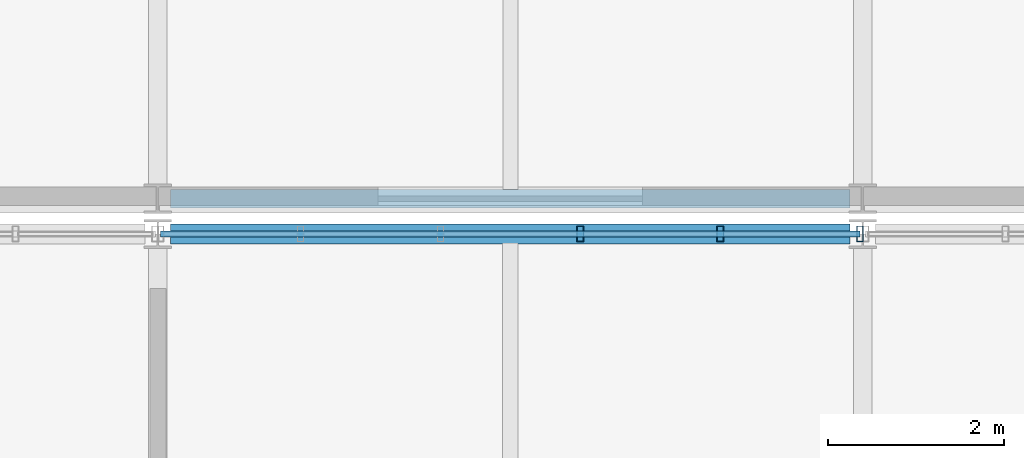
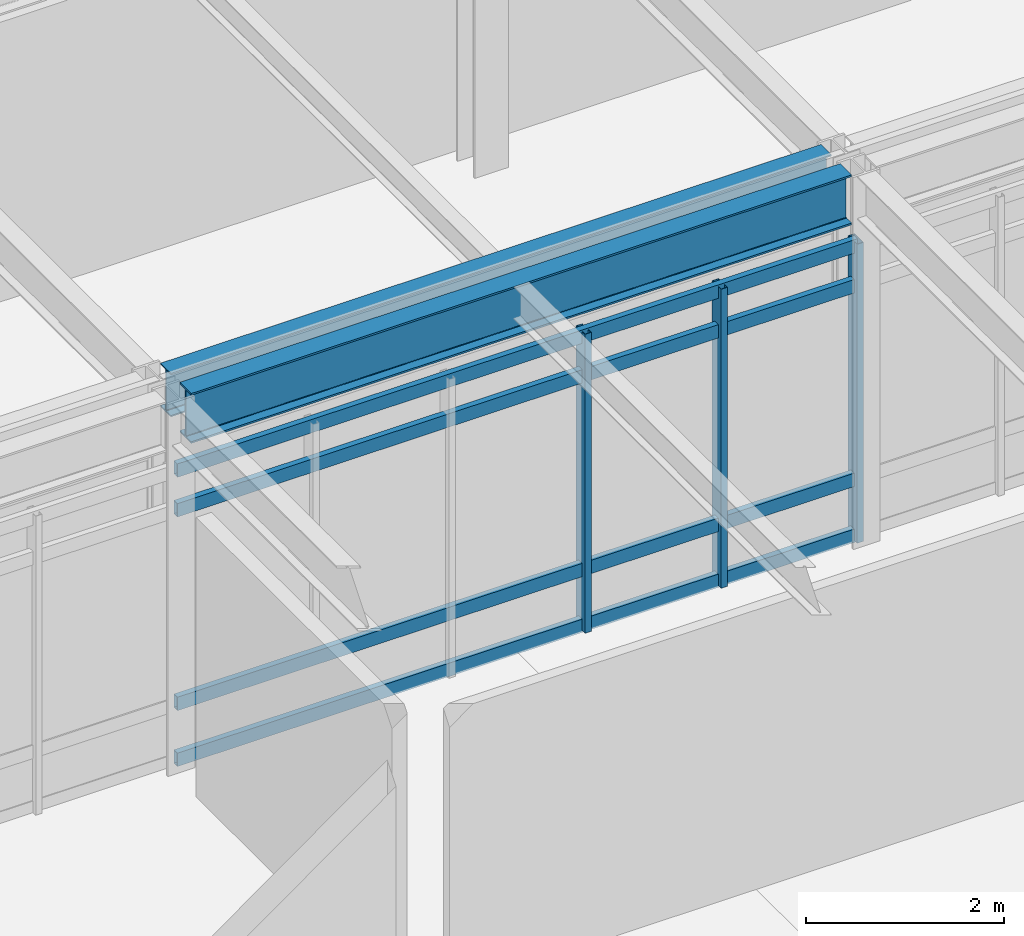
# One storey, part 51 of 104: 7 members, 2 beams, 1 element without a shape of its own.
"""IFC4 building model written with IfcOpenShell, lengths in metres."""

import ifcopenshell
import ifcopenshell.guid

model = None  # the IFC model being written
_history = None  # IfcOwnerHistory: only IFC2X3 demands one
_inside = {}  # id of a spatial element -> (the spatial element, [elements in it])
_under = {}  # id of a project, library or spatial element -> (it, [spatial elements below it])
_declared = {}  # id of a project -> (the project, [libraries it declares])
_typed = {}  # id of a type object -> (the type object, [elements of that type])
_made_of = {}  # id of a material, layer set ... -> (it, [elements and type objects made of it])


def new_model(schema):
    """Start an empty IFC model of exactly this schema.

    Asked for "IFC4X3", IfcOpenShell would pick the latest addendum, in which some entities
    have other attributes; the version numbers below select the first issue.
    IFC2X3 requires an IfcOwnerHistory on every rooted entity: one is made here for all.
    """
    global model, _history
    if schema == "IFC4X3":
        model = ifcopenshell.file(schema_version=(4, 3, 0, 0))
    else:
        model = ifcopenshell.file(schema=schema)
    _inside.clear()
    _under.clear()
    _declared.clear()
    _typed.clear()
    _made_of.clear()
    _history = None
    if model.schema == "IFC2X3":
        org = make("IfcOrganization", Name="unknown")
        user = make(
            "IfcPersonAndOrganization",
            ThePerson=make("IfcPerson", FamilyName="unknown"),
            TheOrganization=org,
        )
        app = make(
            "IfcApplication",
            ApplicationDeveloper=org,
            Version="unknown",
            ApplicationFullName="unknown",
            ApplicationIdentifier="unknown",
        )
        _history = make(
            "IfcOwnerHistory",
            OwningUser=user,
            OwningApplication=app,
            ChangeAction="ADDED",
            CreationDate=0,
        )
    return model


def make(cls, **values):
    """One entity of the class cls with the attributes given. An attribute that is None is left unset."""
    return model.create_entity(
        cls, **{name: value for name, value in values.items() if value is not None}
    )


def rooted(cls, **values):
    """An entity with a GlobalId (a new one), such as an element, a storey or a relation."""
    return make(cls, GlobalId=ifcopenshell.guid.new(), OwnerHistory=_history, **values)


def si_unit(unit_type, name, prefix=None):
    """IfcSIUnit, for example si_unit("LENGTHUNIT", "METRE", prefix="MILLI")."""
    return make("IfcSIUnit", UnitType=unit_type, Prefix=prefix, Name=name)


def assignment(units):
    """IfcUnitAssignment: the units of a project."""
    return None if units is None else make("IfcUnitAssignment", Units=units)


def point(xyz):
    """IfcCartesianPoint."""
    return None if xyz is None else make("IfcCartesianPoint", Coordinates=xyz)


def direction(xyz):
    """IfcDirection."""
    return None if xyz is None else make("IfcDirection", DirectionRatios=xyz)


def frame(location, z_axis=None, x_axis=None):
    """IfcAxis2Placement3D, a coordinate frame: its origin and axes. An axis left out is left unset."""
    return make(
        "IfcAxis2Placement3D",
        Location=point(location),
        Axis=direction(z_axis),
        RefDirection=direction(x_axis),
    )


def frame_2d(location, x_axis=None):
    """IfcAxis2Placement2D, a coordinate frame in the plane: its origin and x axis."""
    return make(
        "IfcAxis2Placement2D", Location=point(location), RefDirection=direction(x_axis)
    )


def origin():
    """The frame at (0, 0, 0) with its axes left unset."""
    return frame((0.0, 0.0, 0.0))


def origin_2d():
    """The frame at (0, 0) in the plane with its x axis left unset."""
    return frame_2d((0.0, 0.0))


def place(relative_to, where):
    """IfcLocalPlacement: puts the frame where relative to a parent placement (None: the world)."""
    return make(
        "IfcLocalPlacement", PlacementRelTo=relative_to, RelativePlacement=where
    )


def context(
    kind, dimensions, precision=None, world=None, true_north=None, identifier=None
):
    """IfcGeometricRepresentationContext, for example the 3D "Model" context."""
    return make(
        "IfcGeometricRepresentationContext",
        ContextIdentifier=identifier,
        ContextType=kind,
        CoordinateSpaceDimension=dimensions,
        Precision=precision,
        WorldCoordinateSystem=world,
        TrueNorth=true_north,
    )


def subcontext(parent, identifier, kind, view, scale=None):
    """IfcGeometricRepresentationSubContext, for example "Body" below "Model"."""
    return make(
        "IfcGeometricRepresentationSubContext",
        ContextIdentifier=identifier,
        ContextType=kind,
        ParentContext=parent,
        TargetScale=scale,
        TargetView=view,
    )


def project(units=None, contexts=None):
    """IfcProject with its units and contexts."""
    return rooted(
        "IfcProject",
        Name="project",
        RepresentationContexts=contexts,
        UnitsInContext=assignment(units),
    )


def spatial(cls, under=None, at=None, **own):
    """A site, building, storey or space (cls), placed at a placement, below another one or the project."""
    s = rooted(cls, ObjectPlacement=at, **own)
    if under is not None:
        _under.setdefault(under.id(), (under, []))[1].append(s)
    return s


def profile(cls, at=None, kind="AREA", **sizes):
    """A parametric profile (cls). Its sizes go by their IFC names, for example OverallWidth=200.0."""
    return make(cls, ProfileType=kind, Position=at, **sizes)


def hollow_rectangle(**sizes):
    """IfcRectangleHollowProfileDef."""
    return profile("IfcRectangleHollowProfileDef", **sizes)


def i_section(**sizes):
    """IfcIShapeProfileDef."""
    return profile("IfcIShapeProfileDef", **sizes)


def extrude(swept, where, along, depth):
    """IfcExtrudedAreaSolid: the profile swept, set in the frame where, extruded along a direction by depth."""
    return make(
        "IfcExtrudedAreaSolid",
        SweptArea=swept,
        Position=where,
        ExtrudedDirection=direction(along),
        Depth=depth,
    )


def shape(context_of_items, identifier, shape_type, items):
    """IfcShapeRepresentation: the items that make up one representation, for example the "Body"."""
    return make(
        "IfcShapeRepresentation",
        ContextOfItems=context_of_items,
        RepresentationIdentifier=identifier,
        RepresentationType=shape_type,
        Items=items,
    )


def material(Name=None, Category=None):
    """IfcMaterial."""
    return make("IfcMaterial", Name=Name, Category=Category)


def material_profile(
    of_material, cross_section, Name=None, Category=None, Priority=None
):
    """IfcMaterialProfile: a cross section and its material."""
    return make(
        "IfcMaterialProfile",
        Name=Name,
        Material=of_material,
        Profile=cross_section,
        Priority=Priority,
        Category=Category,
    )


def profile_set(profiles, Name=None, composite=None):
    """IfcMaterialProfileSet."""
    return make(
        "IfcMaterialProfileSet",
        Name=Name,
        MaterialProfiles=profiles,
        CompositeProfile=composite,
    )


def made_of(thing, what):
    """Note that an element or type object is made of a material, layer set ...; save() writes the relation."""
    if what is not None:
        _made_of.setdefault(what.id(), (what, []))[1].append(thing)
    return thing


def type_object(cls, material=None, **own):
    """A type object (cls), such as IfcWallType, which elements share."""
    return made_of(rooted(cls, **own), material)


def element(
    cls,
    number,
    at=None,
    inside=None,
    cuts=None,
    type_object=None,
    material=None,
    context=None,
    identifier="Body",
    shape_type=None,
    held_by="IfcProductDefinitionShape",
    body=None,
    shapes=None,
    **own,
):
    """One element of the class cls, such as IfcWall. Its Tag is "e" and its number.

    at: its placement. inside: the storey or other place that contains it. cuts: it is an
    opening in that element (IfcRelVoidsElement). A single representation is given by context,
    identifier, shape_type and body (its items); several are given by shapes. held_by: the class
    of the entity that holds the representations. save() writes the other relations.
    """
    e = rooted(cls, Tag="e%d" % number, ObjectPlacement=at, **own)
    if body is not None:
        shapes = [shape(context, identifier, shape_type, body)]
    if shapes is not None:
        e.Representation = make(held_by, Representations=shapes)
    if inside is not None:
        _inside.setdefault(inside.id(), (inside, []))[1].append(e)
    if cuts is not None:
        rooted(
            "IfcRelVoidsElement", RelatingBuildingElement=cuts, RelatedOpeningElement=e
        )
    if type_object is not None:
        _typed.setdefault(type_object.id(), (type_object, []))[1].append(e)
    return made_of(e, material)


def aggregate(whole, parts):
    """IfcRelAggregates: a whole, such as a stair, and the parts it consists of."""
    return rooted("IfcRelAggregates", RelatingObject=whole, RelatedObjects=parts)


def save(model, path):
    """Write the relations noted so far, then the file.

    IfcRelAggregates (storeys below a building ...), IfcRelContainedInSpatialStructure (elements
    in a storey), IfcRelDefinesByType, IfcRelAssociatesMaterial and IfcRelDeclares: one each for
    every whole, place, type object, material and project.
    """
    for whole, parts in _under.values():
        aggregate(whole, parts)
    for where, things in _inside.values():
        rooted(
            "IfcRelContainedInSpatialStructure",
            RelatedElements=things,
            RelatingStructure=where,
        )
    for kind, things in _typed.values():
        rooted("IfcRelDefinesByType", RelatedObjects=things, RelatingType=kind)
    for what, things in _made_of.values():
        rooted("IfcRelAssociatesMaterial", RelatedObjects=things, RelatingMaterial=what)
    for by, libraries in _declared.values():
        rooted("IfcRelDeclares", RelatingContext=by, RelatedDefinitions=libraries)
    model.write(path)


model = new_model("IFC4")

# Units and contexts
model_context = context("Model", 3, precision=1e-05, world=origin(), true_north=direction((0.0, 1.0)))
body_context = subcontext(model_context, "Body", "Model", "MODEL_VIEW")
ifc_project = project(units=[si_unit("LENGTHUNIT", "METRE"), si_unit("AREAUNIT", "SQUARE_METRE"), si_unit("VOLUMEUNIT", "CUBIC_METRE"), si_unit("PLANEANGLEUNIT", "RADIAN"), si_unit("MASSUNIT", "GRAM", prefix="KILO")], contexts=[model_context])

# Site, building, storey
site_placement = place(None, origin())
site = spatial("IfcSite", under=ifc_project, at=site_placement, CompositionType="ELEMENT")
building_placement = place(site_placement, origin())
building = spatial("IfcBuilding", under=site, at=building_placement, Name="Zulena Civic Courthouse", CompositionType="ELEMENT")
storey_placement = place(building_placement, frame((0.0, 0.0, 10.800048828125)))
storey = spatial("IfcBuildingStorey", under=building, at=storey_placement, Name="L02", CompositionType="ELEMENT", Elevation=10.800048828125)

# Curtain wall, members
ifc_material_1 = material(Name="Double-silver low-E laminated solar-control glass", Category="glass")
curtain_wall_type = type_object("IfcCurtainWallType", Name="CW_7940x3690", PredefinedType="USERDEFINED", material=ifc_material_1)
curtain_wall_placement = place(storey_placement, origin())
curtain_wall = element("IfcCurtainWall", 1, at=curtain_wall_placement, inside=storey, type_object=curtain_wall_type, Name="cw:V4:L02:1:3", ObjectType="UNITISED CURTAIN WALL", PredefinedType="USERDEFINED")
ifc_material_2 = material(Name="Bronze anodised thermally broken aluminium AA6063-T6", Category="aluminium")
ifc_material_profile_1 = material_profile(ifc_material_2, hollow_rectangle(XDim=0.074951171875, YDim=0.179931640625, WallThickness=0.0048828125, at=origin_2d()), Name="CWM180X75X5")
ifc_profile_set_1 = profile_set([ifc_material_profile_1], Name="Bronze anodised thermally broken aluminium AA6063-T6")
member_type_1 = type_object("IfcMemberType", Name="CWMullion_180x75", PredefinedType="MULLION", material=ifc_profile_set_1)
member_1_placement = place(storey_placement, frame((96.7939453125, 45.60009765625, 0.0), z_axis=(0.0, 0.0, 1.0), x_axis=(1.0, 0.0, 0.0)))
member_1 = element("IfcMember", 2, at=member_1_placement, type_object=member_type_1, Name="cw:V4:L02:1:3:mull:3", PredefinedType="MULLION", context=body_context, shape_type="SweptSolid", body=[
    extrude(hollow_rectangle(XDim=0.074951171875, YDim=0.179931640625, WallThickness=0.0048828125, at=origin_2d()), origin(), (0.0, 0.0, 1.0), 3.68994140625),
])
member_2_placement = place(storey_placement, frame((98.382080078125, 45.60009765625, 0.0), z_axis=(0.0, 0.0, 1.0), x_axis=(1.0, 0.0, 0.0)))
member_2 = element("IfcMember", 3, at=member_2_placement, type_object=member_type_1, Name="cw:V4:L02:1:3:mull:4", PredefinedType="MULLION", context=body_context, shape_type="SweptSolid", body=[
    extrude(hollow_rectangle(XDim=0.074951171875, YDim=0.179931640625, WallThickness=0.0048828125, at=origin_2d()), origin(), (0.0, 0.0, 1.0), 3.68994140625),
])
member_3_placement = place(storey_placement, frame((99.969970703125, 45.60009765625, 0.0), z_axis=(0.0, 0.0, 1.0), x_axis=(1.0, 0.0, 0.0)))
member_3 = element("IfcMember", 4, at=member_3_placement, type_object=member_type_1, Name="cw:V4:L02:1:3:mull:5", PredefinedType="MULLION", context=body_context, shape_type="SweptSolid", body=[
    extrude(hollow_rectangle(XDim=0.074951171875, YDim=0.179931640625, WallThickness=0.0048828125, at=origin_2d()), origin(), (0.0, 0.0, 1.0), 3.68994140625),
])
ifc_material_profile_2 = material_profile(ifc_material_2, hollow_rectangle(XDim=0.070068359375, YDim=0.1650390625, WallThickness=0.00390625, at=origin_2d()), Name="CWT165X70X4")
ifc_profile_set_2 = profile_set([ifc_material_profile_2], Name="Bronze anodised thermally broken aluminium AA6063-T6")
member_type_2 = type_object("IfcMemberType", Name="CWTransom_165x70", PredefinedType="USERDEFINED", material=ifc_profile_set_2)
member_4_placement = place(storey_placement, frame((92.030029296875, 45.60009765625, 0.06005859375), z_axis=(1.0, 0.0, 0.0), x_axis=(0.0, 1.0, 0.0)))
member_4 = element("IfcMember", 5, at=member_4_placement, type_object=member_type_2, Name="cw:V4:L02:1:3:tran:0", ObjectType="TRANSOM", PredefinedType="USERDEFINED", context=body_context, shape_type="SweptSolid", body=[
    extrude(hollow_rectangle(XDim=0.070068359375, YDim=0.1650390625, WallThickness=0.00390625, at=origin_2d()), origin(), (0.0, 0.0, 1.0), 7.93994140625),
])
member_5_placement = place(storey_placement, frame((92.030029296875, 45.60009765625, 0.75), z_axis=(1.0, 0.0, 0.0), x_axis=(0.0, 1.0, 0.0)))
member_5 = element("IfcMember", 6, at=member_5_placement, type_object=member_type_2, Name="cw:V4:L02:1:3:tran:1", ObjectType="TRANSOM", PredefinedType="USERDEFINED", context=body_context, shape_type="SweptSolid", body=[
    extrude(hollow_rectangle(XDim=0.070068359375, YDim=0.1650390625, WallThickness=0.00390625, at=origin_2d()), origin(), (0.0, 0.0, 1.0), 7.93994140625),
])
member_6_placement = place(storey_placement, frame((92.030029296875, 45.60009765625, 3.139892578125), z_axis=(1.0, 0.0, 0.0), x_axis=(0.0, 1.0, 0.0)))
member_6 = element("IfcMember", 7, at=member_6_placement, type_object=member_type_2, Name="cw:V4:L02:1:3:tran:2", ObjectType="TRANSOM", PredefinedType="USERDEFINED", context=body_context, shape_type="SweptSolid", body=[
    extrude(hollow_rectangle(XDim=0.070068359375, YDim=0.1650390625, WallThickness=0.00390625, at=origin_2d()), origin(), (0.0, 0.0, 1.0), 7.93994140625),
])
member_7_placement = place(storey_placement, frame((92.030029296875, 45.60009765625, 3.6298828125), z_axis=(1.0, 0.0, 0.0), x_axis=(0.0, 1.0, 0.0)))
member_7 = element("IfcMember", 8, at=member_7_placement, type_object=member_type_2, Name="cw:V4:L02:1:3:tran:3", ObjectType="TRANSOM", PredefinedType="USERDEFINED", context=body_context, shape_type="SweptSolid", body=[
    extrude(hollow_rectangle(XDim=0.070068359375, YDim=0.1650390625, WallThickness=0.00390625, at=origin_2d()), origin(), (0.0, 0.0, 1.0), 7.93994140625),
])
aggregate(curtain_wall, [member_1, member_2, member_3, member_4, member_5, member_6, member_7])

# Beams
ifc_material_3 = material(Name="Steel ASTM A992 Grade 50", Category="steel")
ifc_material_profile_3 = material_profile(ifc_material_3, i_section(OverallWidth=0.2099609375, OverallDepth=0.537109375, WebThickness=0.010986328125, FlangeThickness=0.017333984375, FilletRadius=0.0126953125, at=origin_2d()), Name="W21X68")
ifc_profile_set_3 = profile_set([ifc_material_profile_3], Name="Steel ASTM A992 Grade 50")
beam_type_1 = type_object("IfcBeamType", Name="Spandrel_W21X68", PredefinedType="SPANDREL", material=ifc_profile_set_3)
beam_1_placement = place(storey_placement, frame((92.14501953125, 46.0, 4.321533203125), z_axis=(1.0, 0.0, 0.0), x_axis=(0.0, 1.0, 0.0)))
element("IfcBeam", 9, at=beam_1_placement, inside=storey, type_object=beam_type_1, Name="beam:X:V5:L02:46.0:92.0_100.0", PredefinedType="SPANDREL", context=body_context, shape_type="SweptSolid", body=[
    extrude(i_section(OverallWidth=0.2099609375, OverallDepth=0.537109375, WebThickness=0.010986328125, FlangeThickness=0.017333984375, FilletRadius=0.0126953125, at=origin_2d()), origin(), (0.0, 0.0, 1.0), 7.7099609375),
])
ifc_material_profile_4 = material_profile(ifc_material_3, i_section(OverallWidth=0.22998046875, OverallDepth=0.616943359375, WebThickness=0.01318359375, FlangeThickness=0.022216796875, FilletRadius=0.0126953125, at=origin_2d()), Name="W24X94")
ifc_profile_set_4 = profile_set([ifc_material_profile_4], Name="Steel ASTM A992 Grade 50")
beam_type_2 = type_object("IfcBeamType", Name="Spandrel_W24X94", PredefinedType="SPANDREL", material=ifc_profile_set_4)
beam_2_placement = place(storey_placement, frame((92.14501953125, 45.60009765625, 4.281494140625), z_axis=(1.0, 0.0, 0.0), x_axis=(0.0, 1.0, 0.0)))
element("IfcBeam", 10, at=beam_2_placement, inside=storey, type_object=beam_type_2, Name="beam:X:V4:L02:45.6:92.0_100.0", PredefinedType="SPANDREL", context=body_context, shape_type="SweptSolid", body=[
    extrude(i_section(OverallWidth=0.22998046875, OverallDepth=0.616943359375, WebThickness=0.01318359375, FlangeThickness=0.022216796875, FilletRadius=0.0126953125, at=origin_2d()), origin(), (0.0, 0.0, 1.0), 7.7099609375),
])

save(model, "model.ifc")
